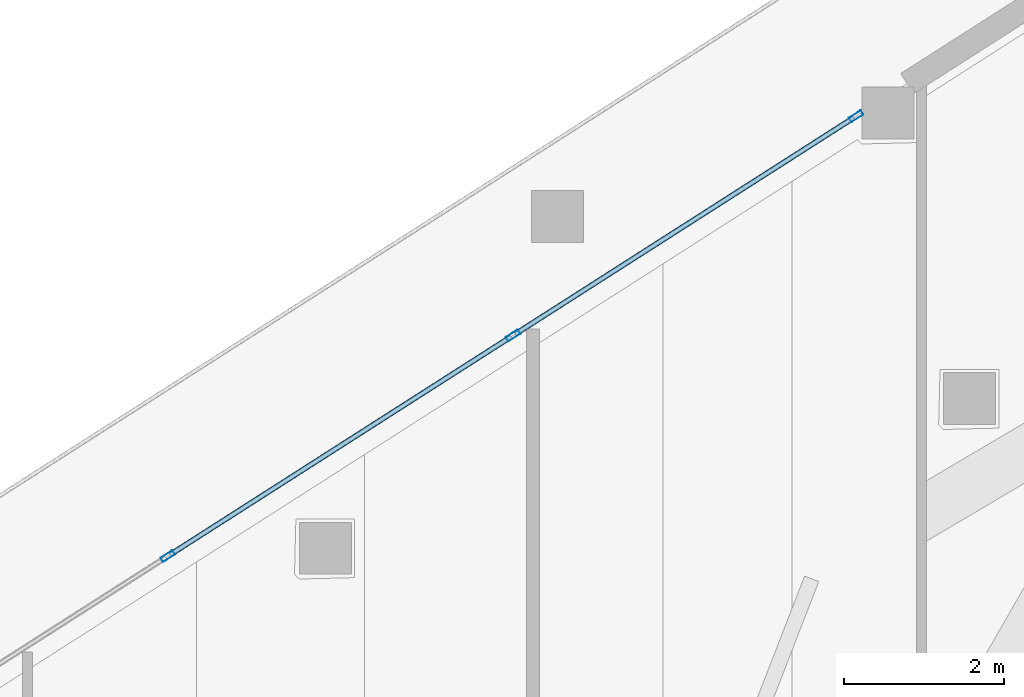
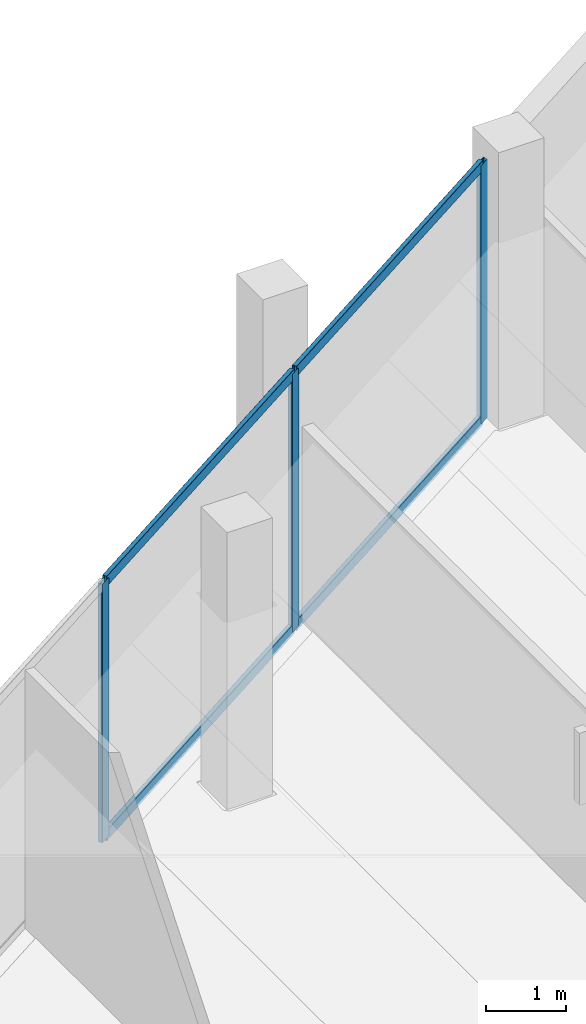
# One storey, part 19 of 44: 7 members, 1 element without a shape of its own.
"""IFC4 building model written with IfcOpenShell, lengths in metres."""

from ifc_helpers import new_model, si_unit, direction, frame, origin, origin_2d, place, context, subcontext, project, spatial, hollow_rectangle, extrude, material, layer, layer_set, material_profile, profile_set, type_object, element, aggregate, save


model = new_model("IFC4")

# Units and contexts
model_context = context("Model", 3, precision=1e-05, world=origin(), true_north=direction((0.0, 1.0)))
body_context = subcontext(model_context, "Body", "Model", "MODEL_VIEW")
ifc_project = project(units=[si_unit("LENGTHUNIT", "METRE"), si_unit("AREAUNIT", "SQUARE_METRE"), si_unit("VOLUMEUNIT", "CUBIC_METRE"), si_unit("PLANEANGLEUNIT", "RADIAN"), si_unit("MASSUNIT", "GRAM", prefix="KILO")], contexts=[model_context])

# Site, building, storey
site_placement = place(None, origin())
site = spatial("IfcSite", under=ifc_project, at=site_placement, CompositionType="ELEMENT")
building_placement = place(site_placement, origin())
building = spatial("IfcBuilding", under=site, at=building_placement, Name="Qorvath Tower", CompositionType="ELEMENT")
storey_placement = place(building_placement, frame((0.0, 0.0, 70.199951171875)))
storey = spatial("IfcBuildingStorey", under=building, at=storey_placement, Name="L15", CompositionType="ELEMENT", Elevation=70.199951171875)

# Curtain wall, members
ifc_material_1 = material(Name="Anodised aluminium and triple low-E glass", Category="aluminium")
ifc_layer = layer(ifc_material_1, 0.179931640625)
ifc_layer_set = layer_set([ifc_layer], Name="CW-SYS-2")
curtain_wall_type = type_object("IfcCurtainWallType", Name="CW-SYS-2", PredefinedType="NOTDEFINED", material=ifc_layer_set)
curtain_wall_placement = place(storey_placement, origin())
curtain_wall = element("IfcCurtainWall", 1, at=curtain_wall_placement, inside=storey, type_object=curtain_wall_type, Name="Curtain Wall CW-2 CW-T-L15-16.2", PredefinedType="NOTDEFINED")
ifc_material_2 = material(Name="Anodised aluminium 6063-T6", Category="aluminium")
ifc_material_profile_1 = material_profile(ifc_material_2, hollow_rectangle(XDim=0.06494140625, YDim=0.179931640625, WallThickness=0.00341796875, InnerFilletRadius=0.00341796875, OuterFilletRadius=0.007080078125, at=origin_2d()), Name="CWM 180x65")
ifc_profile_set_1 = profile_set([ifc_material_profile_1], Name="Anodised aluminium 6063-T6")
member_type_1 = type_object("IfcMemberType", Name="CWM-180", PredefinedType="MULLION", material=ifc_profile_set_1)
member_1_placement = place(storey_placement, frame((-18.3974609375, 30.462890625, 0.0), z_axis=(0.0, 0.0, 1.0), x_axis=(0.538542221685, -0.842598525671, 0.0)))
member_1 = element("IfcMember", 2, at=member_1_placement, type_object=member_type_1, Name="CW-2 mullion 1", PredefinedType="MULLION", context=body_context, shape_type="SweptSolid", body=[
    extrude(hollow_rectangle(XDim=0.06494140625, YDim=0.179931640625, WallThickness=0.00341796875, InnerFilletRadius=0.00341796875, OuterFilletRadius=0.007080078125, at=origin_2d()), origin(), (0.0, 0.0, 1.0), 3.920166015625),
])
member_2_placement = place(storey_placement, frame((-22.6884765625, 27.720458984375, 0.0), z_axis=(0.0, 0.0, 1.0), x_axis=(0.538542221685, -0.842598525671, 0.0)))
member_2 = element("IfcMember", 3, at=member_2_placement, type_object=member_type_1, Name="CW-2 mullion 2", PredefinedType="MULLION", context=body_context, shape_type="SweptSolid", body=[
    extrude(hollow_rectangle(XDim=0.06494140625, YDim=0.179931640625, WallThickness=0.00341796875, InnerFilletRadius=0.00341796875, OuterFilletRadius=0.007080078125, at=origin_2d()), origin(), (0.0, 0.0, 1.0), 3.920166015625),
])
member_3_placement = place(storey_placement, frame((-27.007080078125, 24.960205078125, 0.0), z_axis=(0.0, 0.0, 1.0), x_axis=(0.538542221685, -0.842598525671, 0.0)))
member_3 = element("IfcMember", 4, at=member_3_placement, type_object=member_type_1, Name="CW-2 mullion 3", PredefinedType="MULLION", context=body_context, shape_type="SweptSolid", body=[
    extrude(hollow_rectangle(XDim=0.06494140625, YDim=0.179931640625, WallThickness=0.00341796875, InnerFilletRadius=0.00341796875, OuterFilletRadius=0.007080078125, at=origin_2d()), origin(), (0.0, 0.0, 1.0), 3.920166015625),
])
ifc_material_3 = material(Name="Anodised aluminium 6063-T6", Category="aluminium")
ifc_material_profile_2 = material_profile(ifc_material_3, hollow_rectangle(XDim=0.06494140625, YDim=0.159912109375, WallThickness=0.00341796875, InnerFilletRadius=0.00341796875, OuterFilletRadius=0.007080078125, at=origin_2d()), Name="CWT 160x65")
ifc_profile_set_2 = profile_set([ifc_material_profile_2], Name="Anodised aluminium 6063-T6")
member_type_2 = type_object("IfcMemberType", Name="CWT-160", PredefinedType="USERDEFINED", material=ifc_profile_set_2)
member_4_placement = place(storey_placement, frame((-18.4248046875, 30.445556640625, 0.032470703125), z_axis=(-0.842586087681, -0.538561681562, 0.0), x_axis=(0.538561681562, -0.842586087681, 0.0)))
member_4 = element("IfcMember", 5, at=member_4_placement, type_object=member_type_2, Name="CW-2 transom 1.1", ObjectType="TRANSOM", PredefinedType="USERDEFINED", context=body_context, shape_type="SweptSolid", body=[
    extrude(hollow_rectangle(XDim=0.06494140625, YDim=0.159912109375, WallThickness=0.00341796875, InnerFilletRadius=0.00341796875, OuterFilletRadius=0.007080078125, at=origin_2d()), origin(), (0.0, 0.0, 1.0), 5.02783203125),
])
member_5_placement = place(storey_placement, frame((-18.4248046875, 30.445556640625, 3.8876953125), z_axis=(-0.842586087681, -0.538561681562, 0.0), x_axis=(0.538561681562, -0.842586087681, 0.0)))
member_5 = element("IfcMember", 6, at=member_5_placement, type_object=member_type_2, Name="CW-2 transom 1.2", ObjectType="TRANSOM", PredefinedType="USERDEFINED", context=body_context, shape_type="SweptSolid", body=[
    extrude(hollow_rectangle(XDim=0.06494140625, YDim=0.159912109375, WallThickness=0.00341796875, InnerFilletRadius=0.00341796875, OuterFilletRadius=0.007080078125, at=origin_2d()), origin(), (0.0, 0.0, 1.0), 5.02783203125),
])
member_6_placement = place(storey_placement, frame((-22.716064453125, 27.702880859375, 0.032470703125), z_axis=(-0.842598957411, -0.538541546188, 0.0), x_axis=(0.538541546188, -0.842598957411, 0.0)))
member_6 = element("IfcMember", 7, at=member_6_placement, type_object=member_type_2, Name="CW-2 transom 2.1", ObjectType="TRANSOM", PredefinedType="USERDEFINED", context=body_context, shape_type="SweptSolid", body=[
    extrude(hollow_rectangle(XDim=0.06494140625, YDim=0.159912109375, WallThickness=0.00341796875, InnerFilletRadius=0.00341796875, OuterFilletRadius=0.007080078125, at=origin_2d()), origin(), (0.0, 0.0, 1.0), 5.06005859375),
])
member_7_placement = place(storey_placement, frame((-22.716064453125, 27.702880859375, 3.8876953125), z_axis=(-0.842598957411, -0.538541546188, 0.0), x_axis=(0.538541546188, -0.842598957411, 0.0)))
member_7 = element("IfcMember", 8, at=member_7_placement, type_object=member_type_2, Name="CW-2 transom 2.2", ObjectType="TRANSOM", PredefinedType="USERDEFINED", context=body_context, shape_type="SweptSolid", body=[
    extrude(hollow_rectangle(XDim=0.06494140625, YDim=0.159912109375, WallThickness=0.00341796875, InnerFilletRadius=0.00341796875, OuterFilletRadius=0.007080078125, at=origin_2d()), origin(), (0.0, 0.0, 1.0), 5.06005859375),
])
aggregate(curtain_wall, [member_1, member_2, member_3, member_4, member_5, member_6, member_7])

save(model, "model.ifc")
